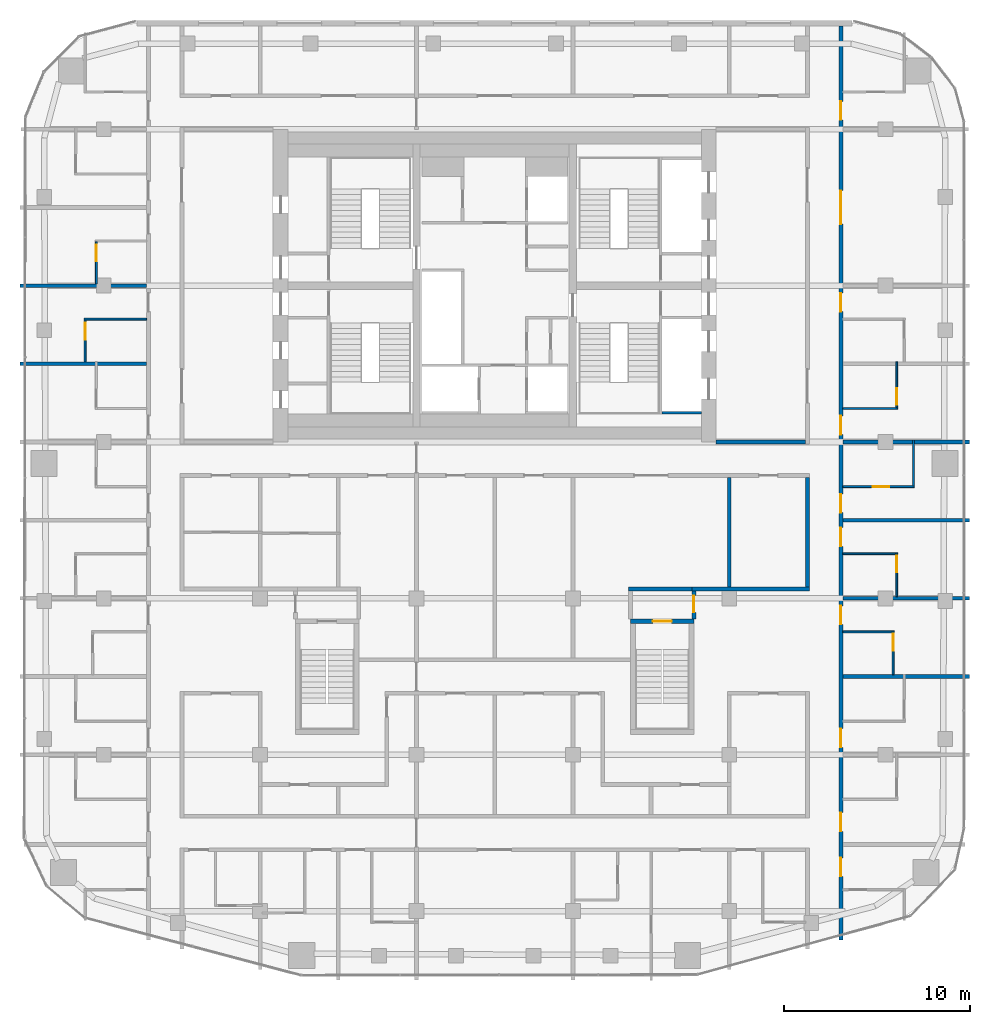
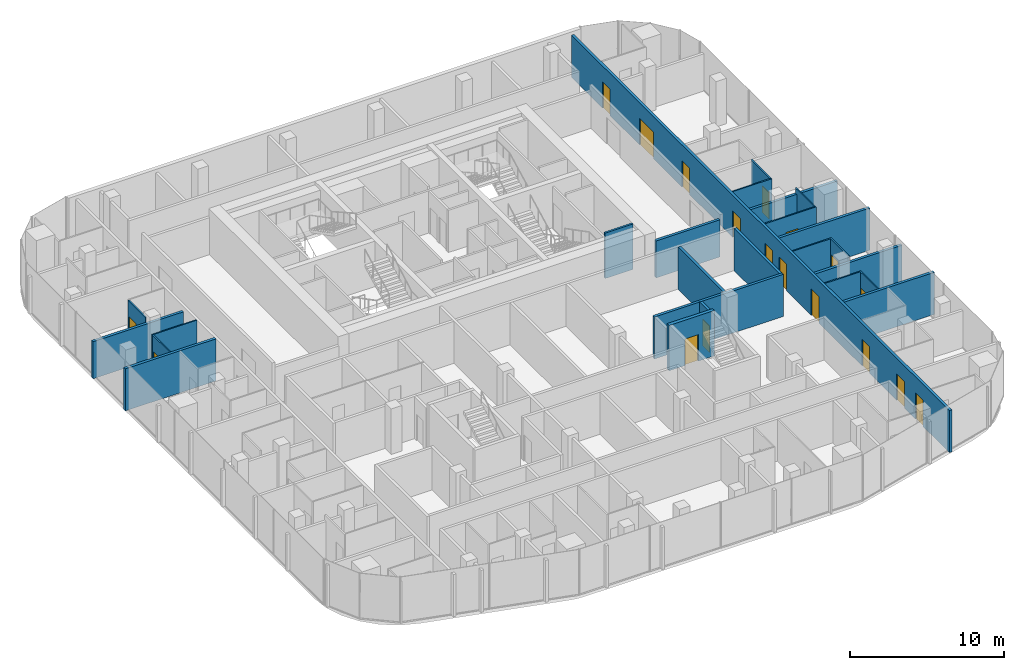
# One storey, part 17 of 22: 26 walls, 18 doors, 18 openings.
"""IFC4 building model written with IfcOpenShell, lengths in metres."""

from ifc_helpers import new_model, si_unit, direction, frame, frame_2d, origin, place, context, subcontext, project, spatial, rectangle, extrude, material, layer, layer_set, type_object, element, fill, save


model = new_model("IFC4")

# Units and contexts
model_context = context("Model", 3, precision=1e-05, world=origin(), true_north=direction((0.0, 1.0)))
body_context = subcontext(model_context, "Body", "Model", "MODEL_VIEW")
ifc_project = project(units=[si_unit("LENGTHUNIT", "METRE"), si_unit("AREAUNIT", "SQUARE_METRE"), si_unit("VOLUMEUNIT", "CUBIC_METRE"), si_unit("PLANEANGLEUNIT", "RADIAN"), si_unit("MASSUNIT", "GRAM", prefix="KILO")], contexts=[model_context])

# Site, building, storey
site_placement = place(None, origin())
site = spatial("IfcSite", under=ifc_project, at=site_placement, CompositionType="ELEMENT")
building_placement = place(site_placement, origin())
building = spatial("IfcBuilding", under=site, at=building_placement, Name="Marenta Gate Hotel Tower", CompositionType="ELEMENT")
storey_placement = place(building_placement, frame((0.0, 0.0, 194.89990234375)))
storey = spatial("IfcBuildingStorey", under=building, at=storey_placement, Name="L44", CompositionType="ELEMENT", Elevation=194.89990234375)

# Walls
ifc_material_1 = material(Name="Concrete blockwork", Category="masonry")
ifc_layer_1 = layer(ifc_material_1, 0.199951171875)
ifc_layer_set_1 = layer_set([ifc_layer_1], Name="Concrete blockwork")
wall_type_1 = type_object("IfcWallType", Name="Core boundary wall 200 REI 180", PredefinedType="PARTITIONING", material=ifc_layer_set_1)
wall_1_placement = place(storey_placement, frame((11.89990234375, 0.0, 0.0), z_axis=(0.0, 0.0, 1.0), x_axis=(1.0, 0.0, 0.0)))
element("IfcWall", 1, at=wall_1_placement, inside=storey, type_object=wall_type_1, Name="L44-CP-EW-ES", PredefinedType="PARTITIONING", context=body_context, shape_type="SweptSolid", body=[
    extrude(rectangle(XDim=4.800048828125, YDim=0.199951171875, at=frame_2d((2.39990234375, 0.0))), origin(), (0.0, 0.0, 1.0), 2.940185546875),
])
ifc_material_2 = material(Name="Concrete C40", Category="concrete")
ifc_layer_2 = layer(ifc_material_2, 0.14990234375)
ifc_layer_set_2 = layer_set([ifc_layer_2], Name="Concrete C40")
wall_type_2 = type_object("IfcWallType", Name="Core shaft wall 150 REI 180", PredefinedType="SHEAR", material=ifc_layer_set_2)
wall_2_placement = place(storey_placement, frame((9.0, 1.574951171875, 0.0), z_axis=(0.0, 0.0, 1.0), x_axis=(1.0, 0.0, 0.0)))
element("IfcWall", 2, at=wall_2_placement, inside=storey, type_object=wall_type_2, Name="L44-SHF-SW-ES-5", PredefinedType="SHEAR", context=body_context, shape_type="SweptSolid", body=[
    extrude(rectangle(XDim=2.10009765625, YDim=0.14990234375, at=frame_2d((1.050048828125, 0.0))), origin(), (0.0, 0.0, 1.0), 3.60009765625),
])

# Wall, opening, door
ifc_material_3 = material(Name="Concrete C40", Category="concrete")
ifc_layer_3 = layer(ifc_material_3, 0.25)
ifc_layer_set_3 = layer_set([ifc_layer_3], Name="Concrete C40")
wall_type_3 = type_object("IfcWallType", Name="Remote stair enclosure wall 250 REI 180", PredefinedType="SHEAR", material=ifc_layer_set_3)
wall_3_placement = place(storey_placement, frame((7.300048828125, -9.625, 0.10009765625), z_axis=(0.0, 0.0, 1.0), x_axis=(1.0, 0.0, 0.0)))
wall_3 = element("IfcWall", 3, at=wall_3_placement, inside=storey, type_object=wall_type_3, Name="L44-RS-Z3-2-W2", PredefinedType="SHEAR", context=body_context, shape_type="SweptSolid", body=[
    extrude(rectangle(XDim=3.39990234375, YDim=0.25, at=frame_2d((1.699951171875, 0.0))), origin(), (0.0, 0.0, 1.0), 3.60009765625),
])
opening_1_placement = place(wall_3_placement, frame((1.199951171875, 0.0, 0.0)))
opening_1 = element("IfcOpeningElement", 4, at=opening_1_placement, cuts=wall_3, Name="Opening VD", PredefinedType="OPENING", context=body_context, shape_type="SweptSolid", body=[
    extrude(rectangle(XDim=1.0, YDim=2.10009765625, at=frame_2d((0.5, 1.050048828125))), frame((0.0, 0.125, 0.0), z_axis=(0.0, -1.0, 0.0), x_axis=(1.0, 0.0, 0.0)), (0.0, 0.0, 1.0), 0.25),
])
ifc_material_4 = material(Name="Steel", Category="steel")
door_type_1 = type_object("IfcDoorType", Name="Stair vestibule door 1000x2100 FD60", OperationType="SINGLE_SWING_LEFT", PredefinedType="DOOR", material=ifc_material_4)
door_1_placement = place(opening_1_placement, origin())
door_1 = element("IfcDoor", 5, at=door_1_placement, inside=storey, type_object=door_type_1, Name="VD", OperationType="SINGLE_SWING_LEFT", OverallHeight=2.10009765625, OverallWidth=1.0, PredefinedType="DOOR", context=body_context, shape_type="SweptSolid", body=[
    extrude(rectangle(XDim=1.0, YDim=2.10009765625, at=frame_2d((0.5, 1.050048828125))), frame((0.0, 0.02490234375, 0.0), z_axis=(0.0, -1.0, 0.0), x_axis=(1.0, 0.0, 0.0)), (0.0, 0.0, 1.0), 0.050048828125),
])
fill(opening_1, door_1)

# Wall, openings, doors
ifc_material_5 = material(Name="Gypsum board on steel stud", Category="steel")
ifc_layer_4 = layer(ifc_material_5, 0.199951171875)
ifc_layer_set_4 = layer_set([ifc_layer_4], Name="Gypsum board on steel stud")
wall_type_4 = type_object("IfcWallType", Name="Room corridor wall 200 EI 60", PredefinedType="PARTITIONING", material=ifc_layer_set_4)
wall_4_placement = place(storey_placement, frame((18.60009765625, -26.7509765625, 0.0), z_axis=(0.0, 0.0, 1.0), x_axis=(0.0, 1.0, 0.0)))
wall_4 = element("IfcWall", 6, at=wall_4_placement, inside=storey, type_object=wall_type_4, Name="L44-PTN-W023", PredefinedType="PARTITIONING", context=body_context, shape_type="SweptSolid", body=[
    extrude(rectangle(XDim=49.091064453125, YDim=0.199951171875, at=frame_2d((24.54541015625, 0.0))), origin(), (0.0, 0.0, 1.0), 3.340087890625),
])
opening_2_placement = place(wall_4_placement, frame((3.4130859375, 0.0, 0.0)))
opening_2 = element("IfcOpeningElement", 7, at=opening_2_placement, cuts=wall_4, Name="Opening G15-18", PredefinedType="OPENING", context=body_context, shape_type="SweptSolid", body=[
    extrude(rectangle(XDim=1.0, YDim=2.10009765625, at=frame_2d((0.5, 1.050048828125))), frame((0.0, 0.10009765625, 0.0), z_axis=(0.0, -1.0, 0.0), x_axis=(1.0, 0.0, 0.0)), (0.0, 0.0, 1.0), 0.199951171875),
])
opening_3_placement = place(wall_4_placement, frame((5.837890625, 0.0, 0.0)))
opening_3 = element("IfcOpeningElement", 8, at=opening_3_placement, cuts=wall_4, Name="Opening G15-20", PredefinedType="OPENING", context=body_context, shape_type="SweptSolid", body=[
    extrude(rectangle(XDim=1.0, YDim=2.10009765625, at=frame_2d((0.5, 1.050048828125))), frame((0.0, 0.10009765625, 0.0), z_axis=(0.0, -1.0, 0.0), x_axis=(1.0, 0.0, 0.0)), (0.0, 0.0, 1.0), 0.199951171875),
])
opening_4_placement = place(wall_4_placement, frame((10.35107421875, 0.0, 0.0)))
opening_4 = element("IfcOpeningElement", 9, at=opening_4_placement, cuts=wall_4, Name="Opening G15-22", PredefinedType="OPENING", context=body_context, shape_type="SweptSolid", body=[
    extrude(rectangle(XDim=1.0, YDim=2.10009765625, at=frame_2d((0.5, 1.050048828125))), frame((0.0, 0.10009765625, 0.0), z_axis=(0.0, -1.0, 0.0), x_axis=(1.0, 0.0, 0.0)), (0.0, 0.0, 1.0), 0.199951171875),
])
opening_5_placement = place(wall_4_placement, frame((16.950927734375, 0.0, 0.0)))
opening_5 = element("IfcOpeningElement", 10, at=opening_5_placement, cuts=wall_4, Name="Opening G15-24", PredefinedType="OPENING", context=body_context, shape_type="SweptSolid", body=[
    extrude(rectangle(XDim=1.0, YDim=2.10009765625, at=frame_2d((0.5, 1.050048828125))), frame((0.0, 0.10009765625, 0.0), z_axis=(0.0, -1.0, 0.0), x_axis=(1.0, 0.0, 0.0)), (0.0, 0.0, 1.0), 0.199951171875),
])
opening_6_placement = place(wall_4_placement, frame((21.15087890625, 0.0, 0.0)))
opening_6 = element("IfcOpeningElement", 11, at=opening_6_placement, cuts=wall_4, Name="Opening G15-26", PredefinedType="OPENING", context=body_context, shape_type="SweptSolid", body=[
    extrude(rectangle(XDim=1.0, YDim=2.10009765625, at=frame_2d((0.5, 1.050048828125))), frame((0.0, 0.10009765625, 0.0), z_axis=(0.0, -1.0, 0.0), x_axis=(1.0, 0.0, 0.0)), (0.0, 0.0, 1.0), 0.199951171875),
])
opening_7_placement = place(wall_4_placement, frame((22.950927734375, 0.0, 0.0)))
opening_7 = element("IfcOpeningElement", 12, at=opening_7_placement, cuts=wall_4, Name="Opening G15-28", PredefinedType="OPENING", context=body_context, shape_type="SweptSolid", body=[
    extrude(rectangle(XDim=1.0, YDim=2.10009765625, at=frame_2d((0.5, 1.050048828125))), frame((0.0, 0.10009765625, 0.0), z_axis=(0.0, -1.0, 0.0), x_axis=(1.0, 0.0, 0.0)), (0.0, 0.0, 1.0), 0.199951171875),
])
opening_8_placement = place(wall_4_placement, frame((27.15087890625, 0.0, 0.0)))
opening_8 = element("IfcOpeningElement", 13, at=opening_8_placement, cuts=wall_4, Name="Opening G15-30", PredefinedType="OPENING", context=body_context, shape_type="SweptSolid", body=[
    extrude(rectangle(XDim=1.0, YDim=2.10009765625, at=frame_2d((0.5, 1.050048828125))), frame((0.0, 0.10009765625, 0.0), z_axis=(0.0, -1.0, 0.0), x_axis=(1.0, 0.0, 0.0)), (0.0, 0.0, 1.0), 0.199951171875),
])
opening_9_placement = place(wall_4_placement, frame((33.7509765625, 0.0, 0.0)))
opening_9 = element("IfcOpeningElement", 14, at=opening_9_placement, cuts=wall_4, Name="Opening G15-32", PredefinedType="OPENING", context=body_context, shape_type="SweptSolid", body=[
    extrude(rectangle(XDim=1.0, YDim=2.10009765625, at=frame_2d((0.5, 1.050048828125))), frame((0.0, 0.10009765625, 0.0), z_axis=(0.0, -1.0, 0.0), x_axis=(1.0, 0.0, 0.0)), (0.0, 0.0, 1.0), 0.199951171875),
])
opening_10_placement = place(wall_4_placement, frame((38.450927734375, 0.0, 0.0)))
opening_10 = element("IfcOpeningElement", 15, at=opening_10_placement, cuts=wall_4, Name="Opening G15-34", PredefinedType="OPENING", context=body_context, shape_type="SweptSolid", body=[
    extrude(rectangle(XDim=1.800048828125, YDim=2.10009765625, at=frame_2d((0.89990234375, 1.050048828125))), frame((0.0, 0.10009765625, 0.0), z_axis=(0.0, -1.0, 0.0), x_axis=(1.0, 0.0, 0.0)), (0.0, 0.0, 1.0), 0.199951171875),
])
opening_11_placement = place(wall_4_placement, frame((44.051025390625, 0.0, 0.0)))
opening_11 = element("IfcOpeningElement", 16, at=opening_11_placement, cuts=wall_4, Name="Opening G15-35", PredefinedType="OPENING", context=body_context, shape_type="SweptSolid", body=[
    extrude(rectangle(XDim=1.0, YDim=2.10009765625, at=frame_2d((0.5, 1.050048828125))), frame((0.0, 0.10009765625, 0.0), z_axis=(0.0, -1.0, 0.0), x_axis=(1.0, 0.0, 0.0)), (0.0, 0.0, 1.0), 0.199951171875),
])
ifc_material_6 = material(Name="Timber door leaf", Category="wood")
door_type_2 = type_object("IfcDoorType", Name="Guest room door 1000x2100 EI 30", OperationType="NOTDEFINED", PredefinedType="DOOR", material=ifc_material_6)
door_2_placement = place(opening_2_placement, origin())
door_2 = element("IfcDoor", 17, at=door_2_placement, inside=storey, type_object=door_type_2, Name="L44-PD-D018", OperationType="SINGLE_SWING_RIGHT", OverallHeight=2.10009765625, OverallWidth=1.0, PredefinedType="DOOR", context=body_context, shape_type="SweptSolid", body=[
    extrude(rectangle(XDim=1.0, YDim=2.10009765625, at=frame_2d((0.5, 1.050048828125))), frame((0.0, 0.02490234375, 0.0), z_axis=(0.0, -1.0, 0.0), x_axis=(1.0, 0.0, 0.0)), (0.0, 0.0, 1.0), 0.050048828125),
])
fill(opening_2, door_2)
door_3_placement = place(opening_3_placement, origin())
door_3 = element("IfcDoor", 18, at=door_3_placement, inside=storey, type_object=door_type_2, Name="L44-PD-D020", OperationType="SINGLE_SWING_RIGHT", OverallHeight=2.10009765625, OverallWidth=1.0, PredefinedType="DOOR", context=body_context, shape_type="SweptSolid", body=[
    extrude(rectangle(XDim=1.0, YDim=2.10009765625, at=frame_2d((0.5, 1.050048828125))), frame((0.0, 0.02490234375, 0.0), z_axis=(0.0, -1.0, 0.0), x_axis=(1.0, 0.0, 0.0)), (0.0, 0.0, 1.0), 0.050048828125),
])
fill(opening_3, door_3)
door_4_placement = place(opening_4_placement, origin())
door_4 = element("IfcDoor", 19, at=door_4_placement, inside=storey, type_object=door_type_2, Name="L44-PD-D022", OperationType="SINGLE_SWING_RIGHT", OverallHeight=2.10009765625, OverallWidth=1.0, PredefinedType="DOOR", context=body_context, shape_type="SweptSolid", body=[
    extrude(rectangle(XDim=1.0, YDim=2.10009765625, at=frame_2d((0.5, 1.050048828125))), frame((0.0, 0.02490234375, 0.0), z_axis=(0.0, -1.0, 0.0), x_axis=(1.0, 0.0, 0.0)), (0.0, 0.0, 1.0), 0.050048828125),
])
fill(opening_4, door_4)
door_5_placement = place(opening_5_placement, origin())
door_5 = element("IfcDoor", 20, at=door_5_placement, inside=storey, type_object=door_type_2, Name="L44-PD-D024", OperationType="SINGLE_SWING_RIGHT", OverallHeight=2.10009765625, OverallWidth=1.0, PredefinedType="DOOR", context=body_context, shape_type="SweptSolid", body=[
    extrude(rectangle(XDim=1.0, YDim=2.10009765625, at=frame_2d((0.5, 1.050048828125))), frame((0.0, 0.02490234375, 0.0), z_axis=(0.0, -1.0, 0.0), x_axis=(1.0, 0.0, 0.0)), (0.0, 0.0, 1.0), 0.050048828125),
])
fill(opening_5, door_5)
door_6_placement = place(opening_6_placement, origin())
door_6 = element("IfcDoor", 21, at=door_6_placement, inside=storey, type_object=door_type_2, Name="L44-PD-D026", OperationType="SINGLE_SWING_RIGHT", OverallHeight=2.10009765625, OverallWidth=1.0, PredefinedType="DOOR", context=body_context, shape_type="SweptSolid", body=[
    extrude(rectangle(XDim=1.0, YDim=2.10009765625, at=frame_2d((0.5, 1.050048828125))), frame((0.0, 0.02490234375, 0.0), z_axis=(0.0, -1.0, 0.0), x_axis=(1.0, 0.0, 0.0)), (0.0, 0.0, 1.0), 0.050048828125),
])
fill(opening_6, door_6)
door_7_placement = place(opening_7_placement, origin())
door_7 = element("IfcDoor", 22, at=door_7_placement, inside=storey, type_object=door_type_2, Name="L44-PD-D028", OperationType="SINGLE_SWING_RIGHT", OverallHeight=2.10009765625, OverallWidth=1.0, PredefinedType="DOOR", context=body_context, shape_type="SweptSolid", body=[
    extrude(rectangle(XDim=1.0, YDim=2.10009765625, at=frame_2d((0.5, 1.050048828125))), frame((0.0, 0.02490234375, 0.0), z_axis=(0.0, -1.0, 0.0), x_axis=(1.0, 0.0, 0.0)), (0.0, 0.0, 1.0), 0.050048828125),
])
fill(opening_7, door_7)
door_8_placement = place(opening_8_placement, origin())
door_8 = element("IfcDoor", 23, at=door_8_placement, inside=storey, type_object=door_type_2, Name="L44-PD-D030", OperationType="SINGLE_SWING_RIGHT", OverallHeight=2.10009765625, OverallWidth=1.0, PredefinedType="DOOR", context=body_context, shape_type="SweptSolid", body=[
    extrude(rectangle(XDim=1.0, YDim=2.10009765625, at=frame_2d((0.5, 1.050048828125))), frame((0.0, 0.02490234375, 0.0), z_axis=(0.0, -1.0, 0.0), x_axis=(1.0, 0.0, 0.0)), (0.0, 0.0, 1.0), 0.050048828125),
])
fill(opening_8, door_8)
door_9_placement = place(opening_9_placement, origin())
door_9 = element("IfcDoor", 24, at=door_9_placement, inside=storey, type_object=door_type_2, Name="L44-PD-D032", OperationType="SINGLE_SWING_RIGHT", OverallHeight=2.10009765625, OverallWidth=1.0, PredefinedType="DOOR", context=body_context, shape_type="SweptSolid", body=[
    extrude(rectangle(XDim=1.0, YDim=2.10009765625, at=frame_2d((0.5, 1.050048828125))), frame((0.0, 0.02490234375, 0.0), z_axis=(0.0, -1.0, 0.0), x_axis=(1.0, 0.0, 0.0)), (0.0, 0.0, 1.0), 0.050048828125),
])
fill(opening_9, door_9)
door_10_placement = place(opening_11_placement, origin())
door_10 = element("IfcDoor", 25, at=door_10_placement, inside=storey, type_object=door_type_2, Name="L44-PD-D035", OperationType="SINGLE_SWING_LEFT", OverallHeight=2.10009765625, OverallWidth=1.0, PredefinedType="DOOR", context=body_context, shape_type="SweptSolid", body=[
    extrude(rectangle(XDim=1.0, YDim=2.10009765625, at=frame_2d((0.5, 1.050048828125))), frame((0.0, 0.02490234375, 0.0), z_axis=(0.0, -1.0, 0.0), x_axis=(1.0, 0.0, 0.0)), (0.0, 0.0, 1.0), 0.050048828125),
])
fill(opening_11, door_10)
ifc_material_7 = material(Name="Timber door leaf", Category="wood")
door_type_3 = type_object("IfcDoorType", Name="Room amenity door 1800x2100 EI 30", OperationType="DOUBLE_DOOR_SINGLE_SWING", PredefinedType="DOOR", material=ifc_material_7)
door_11_placement = place(opening_10_placement, origin())
door_11 = element("IfcDoor", 26, at=door_11_placement, inside=storey, type_object=door_type_3, Name="L44-PD-D034", OperationType="DOUBLE_DOOR_SINGLE_SWING", OverallHeight=2.10009765625, OverallWidth=1.800048828125, PredefinedType="DOOR", context=body_context, shape_type="SweptSolid", body=[
    extrude(rectangle(XDim=1.800048828125, YDim=2.10009765625, at=frame_2d((0.89990234375, 1.050048828125))), frame((0.0, 0.02490234375, 0.0), z_axis=(0.0, -1.0, 0.0), x_axis=(1.0, 0.0, 0.0)), (0.0, 0.0, 1.0), 0.050048828125),
])
fill(opening_10, door_11)

# Walls
wall_5_placement = place(storey_placement, frame((16.800048828125, -7.800048828125, 0.0), z_axis=(0.0, 0.0, 1.0), x_axis=(0.0, 1.0, 0.0)))
element("IfcWall", 27, at=wall_5_placement, inside=storey, type_object=wall_type_4, Name="L44-PTN-W028", PredefinedType="PARTITIONING", context=body_context, shape_type="SweptSolid", body=[
    extrude(rectangle(XDim=5.900146484375, YDim=0.199951171875, at=frame_2d((2.9501953125, 0.0))), origin(), (0.0, 0.0, 1.0), 3.340087890625),
])
wall_6_placement = place(storey_placement, frame((10.60009765625, -7.89990234375, 0.0), z_axis=(0.0, 0.0, 1.0), x_axis=(1.0, 0.0, 0.0)))
element("IfcWall", 28, at=wall_6_placement, inside=storey, type_object=wall_type_4, Name="L44-PTN-W054", PredefinedType="PARTITIONING", context=body_context, shape_type="SweptSolid", body=[
    extrude(rectangle(XDim=6.2998046875, YDim=0.199951171875, at=frame_2d((3.14990234375, 0.0))), origin(), (0.0, 0.0, 1.0), 3.340087890625),
])

# Wall, opening, door
ifc_material_8 = material(Name="Concrete blockwork", Category="masonry")
ifc_layer_5 = layer(ifc_material_8, 0.199951171875)
ifc_layer_set_5 = layer_set([ifc_layer_5], Name="Concrete blockwork")
wall_type_5 = type_object("IfcWallType", Name="Room corridor wall 200 REI 180", PredefinedType="PARTITIONING", material=ifc_layer_set_5)
wall_7_placement = place(storey_placement, frame((10.699951171875, -9.5, 0.0), z_axis=(0.0, 0.0, 1.0), x_axis=(0.0, 1.0, 0.0)))
wall_7 = element("IfcWall", 29, at=wall_7_placement, inside=storey, type_object=wall_type_5, Name="L44-PTN-W046", PredefinedType="PARTITIONING", context=body_context, shape_type="SweptSolid", body=[
    extrude(rectangle(XDim=1.5, YDim=0.199951171875, at=frame_2d((0.75, 0.0))), origin(), (0.0, 0.0, 1.0), 3.340087890625),
])
opening_12_placement = place(wall_7_placement, frame((0.35009765625, 0.0, 0.0)))
opening_12 = element("IfcOpeningElement", 30, at=opening_12_placement, cuts=wall_7, Name="Opening G15-77", PredefinedType="OPENING", context=body_context, shape_type="SweptSolid", body=[
    extrude(rectangle(XDim=0.89990234375, YDim=2.10009765625, at=frame_2d((0.449951171875, 1.050048828125))), frame((0.0, 0.10009765625, 0.0), z_axis=(0.0, -1.0, 0.0), x_axis=(1.0, 0.0, 0.0)), (0.0, 0.0, 1.0), 0.199951171875),
])
ifc_material_9 = material(Name="Hollow steel door set", Category="steel")
door_type_4 = type_object("IfcDoorType", Name="Stair vestibule door 900x2100 EI 60", OperationType="NOTDEFINED", PredefinedType="DOOR", material=ifc_material_9)
door_12_placement = place(opening_12_placement, origin())
door_12 = element("IfcDoor", 31, at=door_12_placement, inside=storey, type_object=door_type_4, Name="L44-PD-D077", OperationType="SINGLE_SWING_RIGHT", OverallHeight=2.10009765625, OverallWidth=0.89990234375, PredefinedType="DOOR", context=body_context, shape_type="SweptSolid", body=[
    extrude(rectangle(XDim=0.89990234375, YDim=2.10009765625, at=frame_2d((0.449951171875, 1.050048828125))), frame((0.0, 0.02490234375, 0.0), z_axis=(0.0, -1.0, 0.0), x_axis=(1.0, 0.0, 0.0)), (0.0, 0.0, 1.0), 0.050048828125),
])
fill(opening_12, door_12)

# Wall
ifc_material_10 = material(Name="Gypsum board on steel stud", Category="steel")
ifc_layer_6 = layer(ifc_material_10, 0.10009765625)
ifc_layer_set_6 = layer_set([ifc_layer_6], Name="Gypsum board on steel stud")
wall_type_6 = type_object("IfcWallType", Name="Room partition 100", PredefinedType="PARTITIONING", material=ifc_layer_set_6)
wall_8_placement = place(storey_placement, frame((22.5, -2.35009765625, 0.0), z_axis=(0.0, 0.0, 1.0), x_axis=(0.0, 1.0, 0.0)))
element("IfcWall", 32, at=wall_8_placement, inside=storey, type_object=wall_type_6, Name="L44-PTN-W008", PredefinedType="PARTITIONING", context=body_context, shape_type="SweptSolid", body=[
    extrude(rectangle(XDim=2.4501953125, YDim=0.10009765625, at=frame_2d((1.22509765625, 0.0))), origin(), (0.0, 0.0, 1.0), 3.340087890625),
])

# Wall, opening, door
wall_9_placement = place(storey_placement, frame((21.60009765625, -8.300048828125, 0.0), z_axis=(0.0, 0.0, 1.0), x_axis=(0.0, 1.0, 0.0)))
wall_9 = element("IfcWall", 33, at=wall_9_placement, inside=storey, type_object=wall_type_6, Name="L44-PTN-W017", PredefinedType="PARTITIONING", context=body_context, shape_type="SweptSolid", body=[
    extrude(rectangle(XDim=2.35009765625, YDim=0.10009765625, at=frame_2d((1.175048828125, 0.0))), origin(), (0.0, 0.0, 1.0), 3.340087890625),
])
opening_13_placement = place(wall_9_placement, frame((1.300048828125, 0.0, 0.0)))
opening_13 = element("IfcOpeningElement", 34, at=opening_13_placement, cuts=wall_9, Name="Opening G15-27", PredefinedType="OPENING", context=body_context, shape_type="SweptSolid", body=[
    extrude(rectangle(XDim=0.89990234375, YDim=2.10009765625, at=frame_2d((0.449951171875, 1.050048828125))), frame((0.0, 0.050048828125, 0.0), z_axis=(0.0, -1.0, 0.0), x_axis=(1.0, 0.0, 0.0)), (0.0, 0.0, 1.0), 0.10009765625),
])
ifc_material_11 = material(Name="Timber door leaf", Category="wood")
door_type_5 = type_object("IfcDoorType", Name="Guest bathroom door 900x2100", OperationType="NOTDEFINED", PredefinedType="DOOR", material=ifc_material_11)
door_13_placement = place(opening_13_placement, origin())
door_13 = element("IfcDoor", 35, at=door_13_placement, inside=storey, type_object=door_type_5, Name="L44-PD-D027", OperationType="SINGLE_SWING_RIGHT", OverallHeight=2.10009765625, OverallWidth=0.89990234375, PredefinedType="DOOR", context=body_context, shape_type="SweptSolid", body=[
    extrude(rectangle(XDim=0.89990234375, YDim=2.10009765625, at=frame_2d((0.449951171875, 1.050048828125))), frame((0.0, 0.02490234375, 0.0), z_axis=(0.0, -1.0, 0.0), x_axis=(1.0, 0.0, 0.0)), (0.0, 0.0, 1.0), 0.050048828125),
])
fill(opening_13, door_13)

wall_10_placement = place(storey_placement, frame((21.60009765625, 1.85009765625, 0.0), z_axis=(0.0, 0.0, 1.0), x_axis=(0.0, 1.0, 0.0)))
wall_10 = element("IfcWall", 36, at=wall_10_placement, inside=storey, type_object=wall_type_6, Name="L44-PTN-W018", PredefinedType="PARTITIONING", context=body_context, shape_type="SweptSolid", body=[
    extrude(rectangle(XDim=2.449951171875, YDim=0.10009765625, at=frame_2d((1.22509765625, 0.0))), origin(), (0.0, 0.0, 1.0), 3.340087890625),
])
opening_14_placement = place(wall_10_placement, frame((0.14990234375, 0.0, 0.0)))
opening_14 = element("IfcOpeningElement", 37, at=opening_14_placement, cuts=wall_10, Name="Opening G15-31", PredefinedType="OPENING", context=body_context, shape_type="SweptSolid", body=[
    extrude(rectangle(XDim=0.89990234375, YDim=2.10009765625, at=frame_2d((0.449951171875, 1.050048828125))), frame((0.0, 0.050048828125, 0.0), z_axis=(0.0, -1.0, 0.0), x_axis=(1.0, 0.0, 0.0)), (0.0, 0.0, 1.0), 0.10009765625),
])
door_14_placement = place(opening_14_placement, origin())
door_14 = element("IfcDoor", 38, at=door_14_placement, inside=storey, type_object=door_type_5, Name="L44-PD-D031", OperationType="SINGLE_SWING_LEFT", OverallHeight=2.10009765625, OverallWidth=0.89990234375, PredefinedType="DOOR", context=body_context, shape_type="SweptSolid", body=[
    extrude(rectangle(XDim=0.89990234375, YDim=2.10009765625, at=frame_2d((0.449951171875, 1.050048828125))), frame((0.0, 0.02490234375, 0.0), z_axis=(0.0, -1.0, 0.0), x_axis=(1.0, 0.0, 0.0)), (0.0, 0.0, 1.0), 0.050048828125),
])
fill(opening_14, door_14)

wall_11_placement = place(storey_placement, frame((21.39990234375, -12.5, 0.0), z_axis=(0.0, 0.0, 1.0), x_axis=(0.0, 1.0, 0.0)))
wall_11 = element("IfcWall", 39, at=wall_11_placement, inside=storey, type_object=wall_type_6, Name="L44-PTN-W019", PredefinedType="PARTITIONING", context=body_context, shape_type="SweptSolid", body=[
    extrude(rectangle(XDim=2.35009765625, YDim=0.10009765625, at=frame_2d((1.175048828125, 0.0))), origin(), (0.0, 0.0, 1.0), 3.340087890625),
])
opening_15_placement = place(wall_11_placement, frame((1.300048828125, 0.0, 0.0)))
opening_15 = element("IfcOpeningElement", 40, at=opening_15_placement, cuts=wall_11, Name="Opening G15-25", PredefinedType="OPENING", context=body_context, shape_type="SweptSolid", body=[
    extrude(rectangle(XDim=0.89990234375, YDim=2.10009765625, at=frame_2d((0.449951171875, 1.050048828125))), frame((0.0, 0.050048828125, 0.0), z_axis=(0.0, -1.0, 0.0), x_axis=(1.0, 0.0, 0.0)), (0.0, 0.0, 1.0), 0.10009765625),
])
door_15_placement = place(opening_15_placement, origin())
door_15 = element("IfcDoor", 41, at=door_15_placement, inside=storey, type_object=door_type_5, Name="L44-PD-D025", OperationType="SINGLE_SWING_RIGHT", OverallHeight=2.10009765625, OverallWidth=0.89990234375, PredefinedType="DOOR", context=body_context, shape_type="SweptSolid", body=[
    extrude(rectangle(XDim=0.89990234375, YDim=2.10009765625, at=frame_2d((0.449951171875, 1.050048828125))), frame((0.0, 0.02490234375, 0.0), z_axis=(0.0, -1.0, 0.0), x_axis=(1.0, 0.0, 0.0)), (0.0, 0.0, 1.0), 0.050048828125),
])
fill(opening_15, door_15)

# Walls
wall_12_placement = place(storey_placement, frame((18.699951171875, -10.199951171875, 0.0), z_axis=(0.0, 0.0, 1.0), x_axis=(1.0, 0.0, 0.0)))
element("IfcWall", 42, at=wall_12_placement, inside=storey, type_object=wall_type_6, Name="L44-PTN-W048", PredefinedType="PARTITIONING", context=body_context, shape_type="SweptSolid", body=[
    extrude(rectangle(XDim=2.650146484375, YDim=0.10009765625, at=frame_2d((1.3251953125, 0.0))), origin(), (0.0, 0.0, 1.0), 3.340087890625),
])
wall_13_placement = place(storey_placement, frame((18.699951171875, -6.0, 0.0), z_axis=(0.0, 0.0, 1.0), x_axis=(1.0, 0.0, 0.0)))
element("IfcWall", 43, at=wall_13_placement, inside=storey, type_object=wall_type_6, Name="L44-PTN-W060", PredefinedType="PARTITIONING", context=body_context, shape_type="SweptSolid", body=[
    extrude(rectangle(XDim=2.85009765625, YDim=0.10009765625, at=frame_2d((1.425048828125, 0.0))), origin(), (0.0, 0.0, 1.0), 3.340087890625),
])

# Wall, opening, door
wall_14_placement = place(storey_placement, frame((18.699951171875, -2.39990234375, 0.0), z_axis=(0.0, 0.0, 1.0), x_axis=(1.0, 0.0, 0.0)))
wall_14 = element("IfcWall", 44, at=wall_14_placement, inside=storey, type_object=wall_type_6, Name="L44-PTN-W071", PredefinedType="PARTITIONING", context=body_context, shape_type="SweptSolid", body=[
    extrude(rectangle(XDim=3.85009765625, YDim=0.10009765625, at=frame_2d((1.925048828125, 0.0))), origin(), (0.0, 0.0, 1.0), 3.340087890625),
])
opening_16_placement = place(wall_14_placement, frame((1.594970703125, 0.0, 0.0)))
opening_16 = element("IfcOpeningElement", 45, at=opening_16_placement, cuts=wall_14, Name="Opening G15-29", PredefinedType="OPENING", context=body_context, shape_type="SweptSolid", body=[
    extrude(rectangle(XDim=0.89990234375, YDim=2.10009765625, at=frame_2d((0.449951171875, 1.050048828125))), frame((0.0, 0.050048828125, 0.0), z_axis=(0.0, -1.0, 0.0), x_axis=(1.0, 0.0, 0.0)), (0.0, 0.0, 1.0), 0.10009765625),
])
door_16_placement = place(opening_16_placement, origin())
door_16 = element("IfcDoor", 46, at=door_16_placement, inside=storey, type_object=door_type_5, Name="L44-PD-D029", OperationType="SINGLE_SWING_RIGHT", OverallHeight=2.10009765625, OverallWidth=0.89990234375, PredefinedType="DOOR", context=body_context, shape_type="SweptSolid", body=[
    extrude(rectangle(XDim=0.89990234375, YDim=2.10009765625, at=frame_2d((0.449951171875, 1.050048828125))), frame((0.0, 0.02490234375, 0.0), z_axis=(0.0, -1.0, 0.0), x_axis=(1.0, 0.0, 0.0)), (0.0, 0.0, 1.0), 0.050048828125),
])
fill(opening_16, door_16)

# Walls
wall_15_placement = place(storey_placement, frame((18.699951171875, 1.800048828125, 0.0), z_axis=(0.0, 0.0, 1.0), x_axis=(1.0, 0.0, 0.0)))
element("IfcWall", 47, at=wall_15_placement, inside=storey, type_object=wall_type_6, Name="L44-PTN-W078", PredefinedType="PARTITIONING", context=body_context, shape_type="SweptSolid", body=[
    extrude(rectangle(XDim=2.949951171875, YDim=0.10009765625, at=frame_2d((1.47509765625, 0.0))), origin(), (0.0, 0.0, 1.0), 3.340087890625),
])
wall_16_placement = place(storey_placement, frame((-22.050048828125, 6.60009765625, 0.0), z_axis=(0.0, 0.0, 1.0), x_axis=(1.0, 0.0, 0.0)))
element("IfcWall", 48, at=wall_16_placement, inside=storey, type_object=wall_type_6, Name="L44-PTN-W087", PredefinedType="PARTITIONING", context=body_context, shape_type="SweptSolid", body=[
    extrude(rectangle(XDim=3.35009765625, YDim=0.10009765625, at=frame_2d((1.675048828125, 0.0))), origin(), (0.0, 0.0, 1.0), 3.340087890625),
])

# Wall, opening, door
wall_17_placement = place(storey_placement, frame((-21.39990234375, 8.5, 0.0), z_axis=(0.0, 0.0, 1.0), x_axis=(0.0, 1.0, 0.0)))
wall_17 = element("IfcWall", 49, at=wall_17_placement, inside=storey, type_object=wall_type_6, Name="L44-PTN-W118", PredefinedType="PARTITIONING", context=body_context, shape_type="SweptSolid", body=[
    extrude(rectangle(XDim=2.25, YDim=0.10009765625, at=frame_2d((1.125, 0.0))), origin(), (0.0, 0.0, 1.0), 3.340087890625),
])
opening_17_placement = place(wall_17_placement, frame((1.199951171875, 0.0, 0.0)))
opening_17 = element("IfcOpeningElement", 50, at=opening_17_placement, cuts=wall_17, Name="Opening G15-71", PredefinedType="OPENING", context=body_context, shape_type="SweptSolid", body=[
    extrude(rectangle(XDim=0.89990234375, YDim=2.10009765625, at=frame_2d((0.449951171875, 1.050048828125))), frame((0.0, 0.050048828125, 0.0), z_axis=(0.0, -1.0, 0.0), x_axis=(1.0, 0.0, 0.0)), (0.0, 0.0, 1.0), 0.10009765625),
])
door_17_placement = place(opening_17_placement, origin())
door_17 = element("IfcDoor", 51, at=door_17_placement, inside=storey, type_object=door_type_5, Name="L44-PD-D071", OperationType="SINGLE_SWING_LEFT", OverallHeight=2.10009765625, OverallWidth=0.89990234375, PredefinedType="DOOR", context=body_context, shape_type="SweptSolid", body=[
    extrude(rectangle(XDim=0.89990234375, YDim=2.10009765625, at=frame_2d((0.449951171875, 1.050048828125))), frame((0.0, 0.02490234375, 0.0), z_axis=(0.0, -1.0, 0.0), x_axis=(1.0, 0.0, 0.0)), (0.0, 0.0, 1.0), 0.050048828125),
])
fill(opening_17, door_17)

wall_18_placement = place(storey_placement, frame((-22.0, 4.300048828125, 0.0), z_axis=(0.0, 0.0, 1.0), x_axis=(0.0, 1.0, 0.0)))
wall_18 = element("IfcWall", 52, at=wall_18_placement, inside=storey, type_object=wall_type_6, Name="L44-PTN-W121", PredefinedType="PARTITIONING", context=body_context, shape_type="SweptSolid", body=[
    extrude(rectangle(XDim=2.25, YDim=0.10009765625, at=frame_2d((1.125, 0.0))), origin(), (0.0, 0.0, 1.0), 3.340087890625),
])
opening_18_placement = place(wall_18_placement, frame((1.199951171875, 0.0, 0.0)))
opening_18 = element("IfcOpeningElement", 53, at=opening_18_placement, cuts=wall_18, Name="Opening G15-69", PredefinedType="OPENING", context=body_context, shape_type="SweptSolid", body=[
    extrude(rectangle(XDim=0.89990234375, YDim=2.10009765625, at=frame_2d((0.449951171875, 1.050048828125))), frame((0.0, 0.050048828125, 0.0), z_axis=(0.0, -1.0, 0.0), x_axis=(1.0, 0.0, 0.0)), (0.0, 0.0, 1.0), 0.10009765625),
])
door_18_placement = place(opening_18_placement, origin())
door_18 = element("IfcDoor", 54, at=door_18_placement, inside=storey, type_object=door_type_5, Name="L44-PD-D069", OperationType="SINGLE_SWING_LEFT", OverallHeight=2.10009765625, OverallWidth=0.89990234375, PredefinedType="DOOR", context=body_context, shape_type="SweptSolid", body=[
    extrude(rectangle(XDim=0.89990234375, YDim=2.10009765625, at=frame_2d((0.449951171875, 1.050048828125))), frame((0.0, 0.02490234375, 0.0), z_axis=(0.0, -1.0, 0.0), x_axis=(1.0, 0.0, 0.0)), (0.0, 0.0, 1.0), 0.050048828125),
])
fill(opening_18, door_18)

# Walls
ifc_material_12 = material(Name="Gypsum board on steel stud", Category="steel")
ifc_layer_7 = layer(ifc_material_12, 0.199951171875)
ifc_layer_set_7 = layer_set([ifc_layer_7], Name="Gypsum board on steel stud")
wall_type_7 = type_object("IfcWallType", Name="Room party wall 200 EI 60", PredefinedType="PARTITIONING", material=ifc_layer_set_7)
wall_19_placement = place(storey_placement, frame((12.60009765625, -7.800048828125, 0.0), z_axis=(0.0, 0.0, 1.0), x_axis=(0.0, 1.0, 0.0)))
element("IfcWall", 55, at=wall_19_placement, inside=storey, type_object=wall_type_7, Name="L44-PTN-W040", PredefinedType="PARTITIONING", context=body_context, shape_type="SweptSolid", body=[
    extrude(rectangle(XDim=5.900146484375, YDim=0.199951171875, at=frame_2d((2.9501953125, 0.0))), origin(), (0.0, 0.0, 1.0), 3.340087890625),
])
wall_20_placement = place(storey_placement, frame((18.699951171875, -12.60009765625, 0.0), z_axis=(0.0, 0.0, 1.0), x_axis=(1.0, 0.0, 0.0)))
element("IfcWall", 56, at=wall_20_placement, inside=storey, type_object=wall_type_7, Name="L44-PTN-W044", PredefinedType="PARTITIONING", context=body_context, shape_type="SweptSolid", body=[
    extrude(rectangle(XDim=6.800048828125, YDim=0.199951171875, at=frame_2d((3.39990234375, 0.0))), origin(), (0.0, 0.0, 1.0), 3.340087890625),
])
wall_21_placement = place(storey_placement, frame((18.699951171875, -8.39990234375, 0.0), z_axis=(0.0, 0.0, 1.0), x_axis=(1.0, 0.0, 0.0)))
element("IfcWall", 57, at=wall_21_placement, inside=storey, type_object=wall_type_7, Name="L44-PTN-W052", PredefinedType="PARTITIONING", context=body_context, shape_type="SweptSolid", body=[
    extrude(rectangle(XDim=6.800048828125, YDim=0.199951171875, at=frame_2d((3.39990234375, 0.0))), origin(), (0.0, 0.0, 1.0), 2.940185546875),
])
wall_22_placement = place(storey_placement, frame((18.699951171875, -4.199951171875, 0.0), z_axis=(0.0, 0.0, 1.0), x_axis=(1.0, 0.0, 0.0)))
element("IfcWall", 58, at=wall_22_placement, inside=storey, type_object=wall_type_7, Name="L44-PTN-W069", PredefinedType="PARTITIONING", context=body_context, shape_type="SweptSolid", body=[
    extrude(rectangle(XDim=6.800048828125, YDim=0.199951171875, at=frame_2d((3.39990234375, 0.0))), origin(), (0.0, 0.0, 1.0), 3.340087890625),
])
wall_23_placement = place(storey_placement, frame((18.699951171875, 0.0, 0.0), z_axis=(0.0, 0.0, 1.0), x_axis=(1.0, 0.0, 0.0)))
element("IfcWall", 59, at=wall_23_placement, inside=storey, type_object=wall_type_7, Name="L44-PTN-W076", PredefinedType="PARTITIONING", context=body_context, shape_type="SweptSolid", body=[
    extrude(rectangle(XDim=6.800048828125, YDim=0.199951171875, at=frame_2d((3.39990234375, 0.0))), origin(), (0.0, 0.0, 1.0), 2.940185546875),
])
wall_24_placement = place(storey_placement, frame((-25.5, 4.199951171875, 0.0), z_axis=(0.0, 0.0, 1.0), x_axis=(1.0, 0.0, 0.0)))
element("IfcWall", 60, at=wall_24_placement, inside=storey, type_object=wall_type_7, Name="L44-PTN-W083", PredefinedType="PARTITIONING", context=body_context, shape_type="SweptSolid", body=[
    extrude(rectangle(XDim=6.800048828125, YDim=0.199951171875, at=frame_2d((3.39990234375, 0.0))), origin(), (0.0, 0.0, 1.0), 3.340087890625),
])
wall_25_placement = place(storey_placement, frame((-25.5, 8.39990234375, 0.0), z_axis=(0.0, 0.0, 1.0), x_axis=(1.0, 0.0, 0.0)))
element("IfcWall", 61, at=wall_25_placement, inside=storey, type_object=wall_type_7, Name="L44-PTN-W093", PredefinedType="PARTITIONING", context=body_context, shape_type="SweptSolid", body=[
    extrude(rectangle(XDim=6.800048828125, YDim=0.199951171875, at=frame_2d((3.39990234375, 0.0))), origin(), (0.0, 0.0, 1.0), 2.940185546875),
])
ifc_material_13 = material(Name="Concrete blockwork", Category="masonry")
ifc_layer_8 = layer(ifc_material_13, 0.199951171875)
ifc_layer_set_8 = layer_set([ifc_layer_8], Name="Concrete blockwork")
wall_type_8 = type_object("IfcWallType", Name="Room party wall 200 REI 180", PredefinedType="PARTITIONING", material=ifc_layer_set_8)
wall_26_placement = place(storey_placement, frame((7.199951171875, -7.89990234375, 0.0), z_axis=(0.0, 0.0, 1.0), x_axis=(1.0, 0.0, 0.0)))
element("IfcWall", 62, at=wall_26_placement, inside=storey, type_object=wall_type_8, Name="L44-PTN-W056", PredefinedType="PARTITIONING", context=body_context, shape_type="SweptSolid", body=[
    extrude(rectangle(XDim=3.400146484375, YDim=0.199951171875, at=frame_2d((1.7001953125, 0.0))), origin(), (0.0, 0.0, 1.0), 3.340087890625),
])

save(model, "model.ifc")
